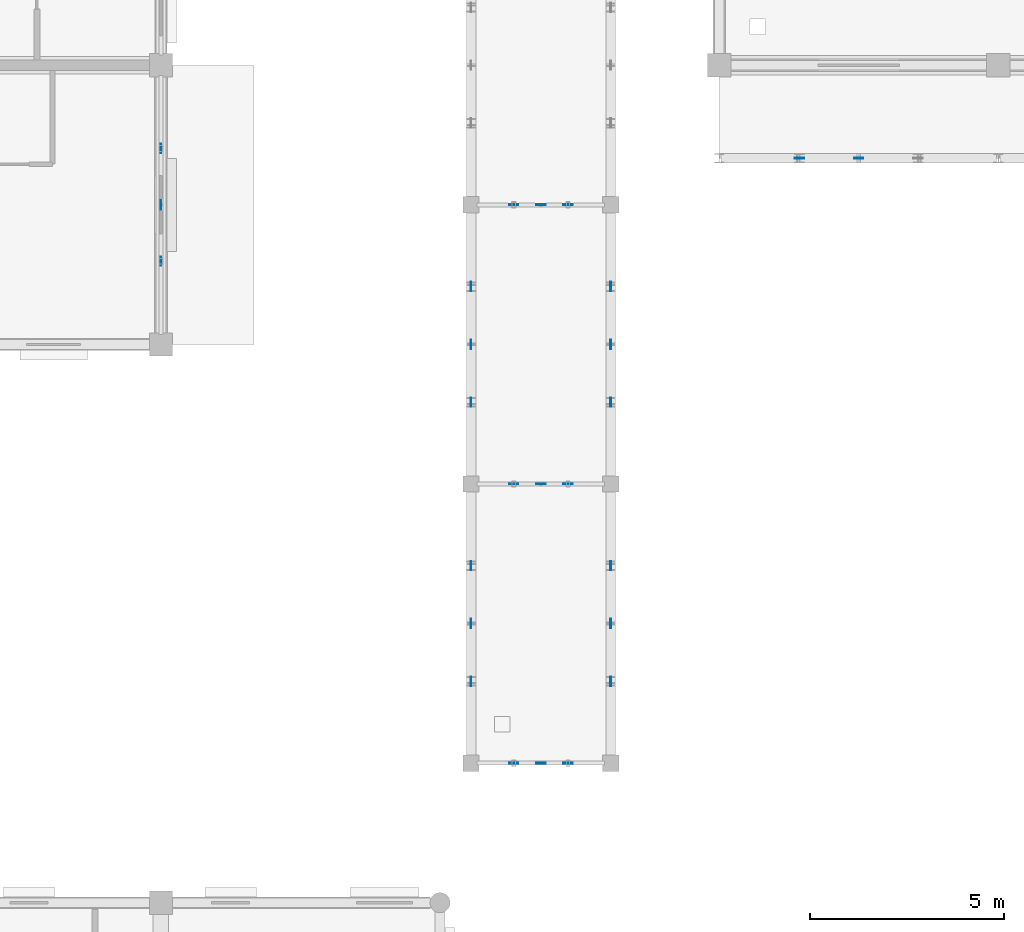
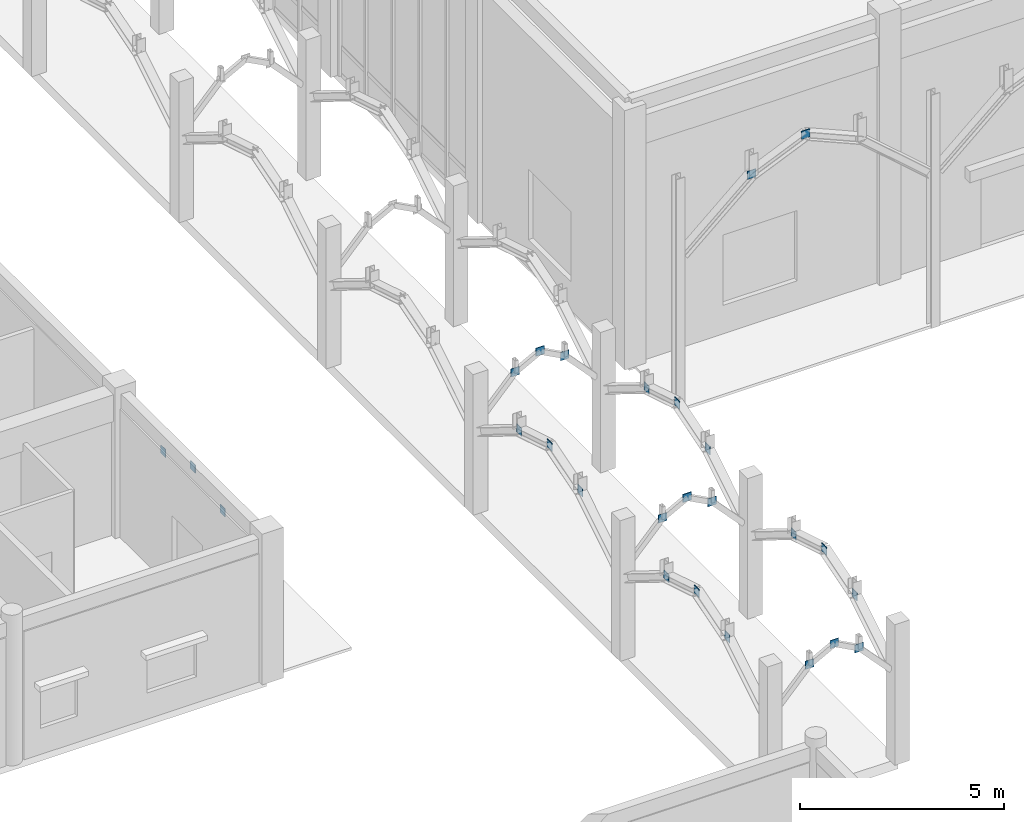
# One storey, part 70 of 138: 26 plates.
"""IFC4 building model written with IfcOpenShell, lengths in metres."""

from ifc_helpers import new_model, si_unit, direction, frame, origin, origin_2d, place, context, subcontext, project, spatial, rectangle, extrude, material, layer, layer_set, type_object, element, save


model = new_model("IFC4")

# Units and contexts
model_context = context("Model", 3, precision=1e-05, world=origin(), true_north=direction((0.0, 1.0)))
body_context = subcontext(model_context, "Body", "Model", "MODEL_VIEW")
ifc_project = project(units=[si_unit("LENGTHUNIT", "METRE"), si_unit("AREAUNIT", "SQUARE_METRE"), si_unit("VOLUMEUNIT", "CUBIC_METRE"), si_unit("PLANEANGLEUNIT", "RADIAN"), si_unit("MASSUNIT", "GRAM", prefix="KILO"), si_unit("THERMODYNAMICTEMPERATUREUNIT", "KELVIN"), si_unit("POWERUNIT", "WATT")], contexts=[model_context])

# Site, building, storey
site_placement = place(None, origin())
site = spatial("IfcSite", under=ifc_project, at=site_placement, CompositionType="ELEMENT")
building_placement = place(site_placement, origin())
building = spatial("IfcBuilding", under=site, at=building_placement, Name="Tavuni Mirador Residences", CompositionType="ELEMENT")
storey_placement = place(building_placement, origin())
storey = spatial("IfcBuildingStorey", under=building, at=storey_placement, Name="L00", CompositionType="ELEMENT", Elevation=0.0)

# Plates
ifc_material = material(Name="Structural steel S355", Category="steel")
ifc_layer = layer(ifc_material, 0.01806640625, Name="Structural steel S355", Category="steel")
ifc_layer_set = layer_set([ifc_layer], Name="Structural steel S355")
plate_type = type_object("IfcPlateType", Name="PLT-GP05", PredefinedType="USERDEFINED", material=ifc_layer_set)
for number, where, z_axis, x_axis, name in (
    (1, (34.30029296875, 54.0, 3.58740234375), (0.0, 0.0, 1.0), (1.0, 0.0, 0.0), "ARCH-COLO-T-00-GQ1"),
    (2, (35.0, 54.0, 3.9599609375), (0.0, 0.0, 1.0), (1.0, 0.0, 0.0), "ARCH-COLO-T-00-GCR"),
    (3, (35.69970703125, 54.0, 3.58740234375), (0.0, 0.0, 1.0), (1.0, 0.0, 0.0), "ARCH-COLO-T-00-GQ2"),
    (4, (34.30029296875, 61.199951171875, 3.58740234375), (0.0, 0.0, 1.0), (1.0, 0.0, 0.0), "ARCH-COLO-T-01-GQ1"),
    (5, (35.0, 61.199951171875, 3.9599609375), (0.0, 0.0, 1.0), (1.0, 0.0, 0.0), "ARCH-COLO-T-01-GCR"),
    (6, (35.69970703125, 61.199951171875, 3.58740234375), (0.0, 0.0, 1.0), (1.0, 0.0, 0.0), "ARCH-COLO-T-01-GQ2"),
    (7, (34.30029296875, 68.39990234375, 3.58740234375), (0.0, 0.0, 1.0), (1.0, 0.0, 0.0), "ARCH-COLO-T-02-GQ1"),
    (8, (35.0, 68.39990234375, 3.9599609375), (0.0, 0.0, 1.0), (1.0, 0.0, 0.0), "ARCH-COLO-T-02-GCR"),
    (9, (35.69970703125, 68.39990234375, 3.58740234375), (0.0, 0.0, 1.0), (1.0, 0.0, 0.0), "ARCH-COLO-T-02-GQ2"),
):
    element("IfcPlate", number, at=place(storey_placement, frame(where, z_axis=z_axis, x_axis=x_axis)), inside=storey, type_object=plate_type, Name=name, ObjectType="GUSSET PLATE", PredefinedType="USERDEFINED", context=body_context, shape_type="SweptSolid", body=[
        extrude(rectangle(XDim=0.239990234375, YDim=0.02001953125, at=origin_2d()), origin(), (0.0, 0.0, 1.0), 0.239990234375),
    ])
for number, where, z_axis, x_axis, name in (
    (10, (33.199951171875, 56.1083984375, 3.50341796875), (0.0, 0.0, 1.0), (1.0, 0.0, 0.0), "ARCH-COLO-W-00-GQ1"),
    (11, (33.199951171875, 57.60009765625, 3.9599609375), (0.0, 0.0, 1.0), (1.0, 0.0, 0.0), "ARCH-COLO-W-00-GCR"),
    (12, (33.199951171875, 59.091552734375, 3.50341796875), (0.0, 0.0, 1.0), (1.0, 0.0, 0.0), "ARCH-COLO-W-00-GQ2"),
    (13, (36.800048828125, 56.1083984375, 3.50341796875), (0.0, 0.0, 1.0), (1.0, 0.0, 0.0), "ARCH-COLO-E-00-GQ1"),
    (14, (36.800048828125, 57.60009765625, 3.9599609375), (0.0, 0.0, 1.0), (1.0, 0.0, 0.0), "ARCH-COLO-E-00-GCR"),
    (15, (36.800048828125, 59.091552734375, 3.50341796875), (0.0, 0.0, 1.0), (1.0, 0.0, 0.0), "ARCH-COLO-E-00-GQ2"),
    (16, (33.199951171875, 63.308349609375, 3.50341796875), (0.0, 0.0, 1.0), (1.0, 0.0, 0.0), "ARCH-COLO-W-01-GQ1"),
    (17, (33.199951171875, 64.800048828125, 3.9599609375), (0.0, 0.0, 1.0), (1.0, 0.0, 0.0), "ARCH-COLO-W-01-GCR"),
    (18, (33.199951171875, 66.29150390625, 3.50341796875), (0.0, 0.0, 1.0), (1.0, 0.0, 0.0), "ARCH-COLO-W-01-GQ2"),
    (19, (36.800048828125, 63.308349609375, 3.50341796875), (0.0, 0.0, 1.0), (1.0, 0.0, 0.0), "ARCH-COLO-E-01-GQ1"),
    (20, (36.800048828125, 64.800048828125, 3.9599609375), (0.0, 0.0, 1.0), (1.0, 0.0, 0.0), "ARCH-COLO-E-01-GCR"),
    (21, (36.800048828125, 66.29150390625, 3.50341796875), (0.0, 0.0, 1.0), (1.0, 0.0, 0.0), "ARCH-COLO-E-01-GQ2"),
):
    element("IfcPlate", number, at=place(storey_placement, frame(where, z_axis=z_axis, x_axis=x_axis)), inside=storey, type_object=plate_type, Name=name, ObjectType="GUSSET PLATE", PredefinedType="USERDEFINED", context=body_context, shape_type="SweptSolid", body=[
        extrude(rectangle(XDim=0.02001953125, YDim=0.239990234375, at=origin_2d()), origin(), (0.0, 0.0, 1.0), 0.239990234375),
    ])
for number, where, z_axis, x_axis, name in (
    (22, (41.668701171875, 69.60009765625, 6.181640625), (0.0, 0.0, 1.0), (1.0, 0.0, 0.0), "ARCH-HALL-S-00-GQ1"),
    (23, (43.199951171875, 69.60009765625, 6.84326171875), (0.0, 0.0, 1.0), (1.0, 0.0, 0.0), "ARCH-HALL-S-00-GCR"),
):
    element("IfcPlate", number, at=place(storey_placement, frame(where, z_axis=z_axis, x_axis=x_axis)), inside=storey, type_object=plate_type, Name=name, ObjectType="GUSSET PLATE", PredefinedType="USERDEFINED", context=body_context, shape_type="SweptSolid", body=[
        extrude(rectangle(XDim=0.239990234375, YDim=0.02001953125, at=origin_2d()), origin(), (0.0, 0.0, 1.0), 0.239990234375),
    ])
for number, where, z_axis, x_axis, name in (
    (24, (25.199951171875, 66.947998046875, 3.509765625), (0.0, 0.0, 1.0), (1.0, 0.0, 0.0), "ARCH-BLKB-E-00-GQ1"),
    (25, (25.199951171875, 68.39990234375, 3.93017578125), (0.0, 0.0, 1.0), (1.0, 0.0, 0.0), "ARCH-BLKB-E-00-GCR"),
    (26, (25.199951171875, 69.85205078125, 3.509765625), (0.0, 0.0, 1.0), (1.0, 0.0, 0.0), "ARCH-BLKB-E-00-GQ2"),
):
    element("IfcPlate", number, at=place(storey_placement, frame(where, z_axis=z_axis, x_axis=x_axis)), inside=storey, type_object=plate_type, Name=name, ObjectType="GUSSET PLATE", PredefinedType="USERDEFINED", context=body_context, shape_type="SweptSolid", body=[
        extrude(rectangle(XDim=0.02001953125, YDim=0.239990234375, at=origin_2d()), origin(), (0.0, 0.0, 1.0), 0.239990234375),
    ])

save(model, "model.ifc")
